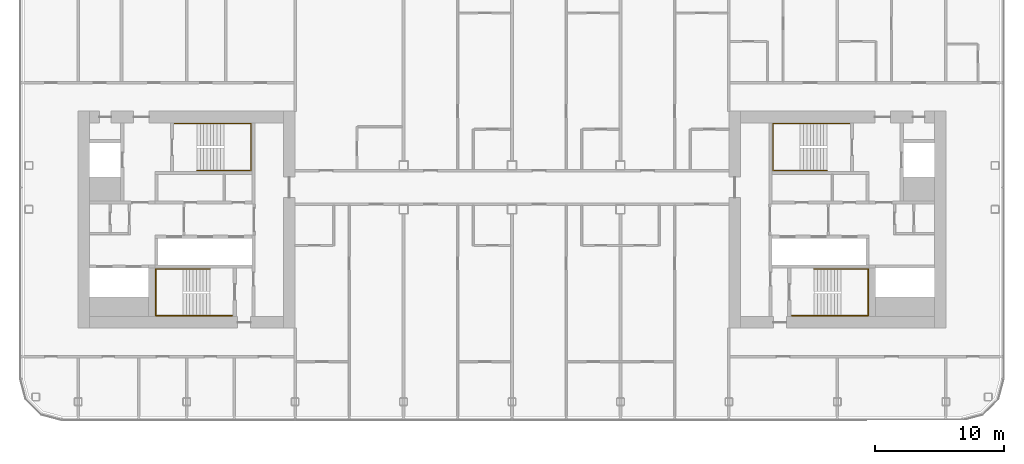
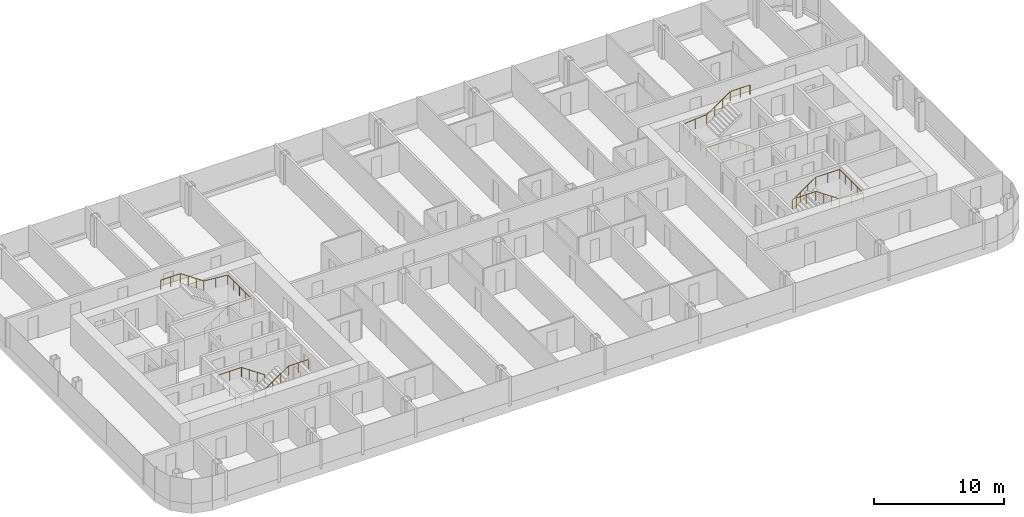
# One storey, part 26 of 26: 4 railings.
"""IFC4 building model written with IfcOpenShell, lengths in metres."""

import ifcopenshell
import ifcopenshell.guid

model = None  # the IFC model being written
_history = None  # IfcOwnerHistory: only IFC2X3 demands one
_inside = {}  # id of a spatial element -> (the spatial element, [elements in it])
_under = {}  # id of a project, library or spatial element -> (it, [spatial elements below it])
_declared = {}  # id of a project -> (the project, [libraries it declares])
_typed = {}  # id of a type object -> (the type object, [elements of that type])
_made_of = {}  # id of a material, layer set ... -> (it, [elements and type objects made of it])


def new_model(schema):
    """Start an empty IFC model of exactly this schema.

    Asked for "IFC4X3", IfcOpenShell would pick the latest addendum, in which some entities
    have other attributes; the version numbers below select the first issue.
    IFC2X3 requires an IfcOwnerHistory on every rooted entity: one is made here for all.
    """
    global model, _history
    if schema == "IFC4X3":
        model = ifcopenshell.file(schema_version=(4, 3, 0, 0))
    else:
        model = ifcopenshell.file(schema=schema)
    _inside.clear()
    _under.clear()
    _declared.clear()
    _typed.clear()
    _made_of.clear()
    _history = None
    if model.schema == "IFC2X3":
        org = make("IfcOrganization", Name="unknown")
        user = make(
            "IfcPersonAndOrganization",
            ThePerson=make("IfcPerson", FamilyName="unknown"),
            TheOrganization=org,
        )
        app = make(
            "IfcApplication",
            ApplicationDeveloper=org,
            Version="unknown",
            ApplicationFullName="unknown",
            ApplicationIdentifier="unknown",
        )
        _history = make(
            "IfcOwnerHistory",
            OwningUser=user,
            OwningApplication=app,
            ChangeAction="ADDED",
            CreationDate=0,
        )
    return model


def make(cls, **values):
    """One entity of the class cls with the attributes given. An attribute that is None is left unset."""
    return model.create_entity(
        cls, **{name: value for name, value in values.items() if value is not None}
    )


def rooted(cls, **values):
    """An entity with a GlobalId (a new one), such as an element, a storey or a relation."""
    return make(cls, GlobalId=ifcopenshell.guid.new(), OwnerHistory=_history, **values)


def si_unit(unit_type, name, prefix=None):
    """IfcSIUnit, for example si_unit("LENGTHUNIT", "METRE", prefix="MILLI")."""
    return make("IfcSIUnit", UnitType=unit_type, Prefix=prefix, Name=name)


def assignment(units):
    """IfcUnitAssignment: the units of a project."""
    return None if units is None else make("IfcUnitAssignment", Units=units)


def point(xyz):
    """IfcCartesianPoint."""
    return None if xyz is None else make("IfcCartesianPoint", Coordinates=xyz)


def direction(xyz):
    """IfcDirection."""
    return None if xyz is None else make("IfcDirection", DirectionRatios=xyz)


def frame(location, z_axis=None, x_axis=None):
    """IfcAxis2Placement3D, a coordinate frame: its origin and axes. An axis left out is left unset."""
    return make(
        "IfcAxis2Placement3D",
        Location=point(location),
        Axis=direction(z_axis),
        RefDirection=direction(x_axis),
    )


def frame_2d(location, x_axis=None):
    """IfcAxis2Placement2D, a coordinate frame in the plane: its origin and x axis."""
    return make(
        "IfcAxis2Placement2D", Location=point(location), RefDirection=direction(x_axis)
    )


def origin():
    """The frame at (0, 0, 0) with its axes left unset."""
    return frame((0.0, 0.0, 0.0))


def origin_2d():
    """The frame at (0, 0) in the plane with its x axis left unset."""
    return frame_2d((0.0, 0.0))


def place(relative_to, where):
    """IfcLocalPlacement: puts the frame where relative to a parent placement (None: the world)."""
    return make(
        "IfcLocalPlacement", PlacementRelTo=relative_to, RelativePlacement=where
    )


def context(
    kind, dimensions, precision=None, world=None, true_north=None, identifier=None
):
    """IfcGeometricRepresentationContext, for example the 3D "Model" context."""
    return make(
        "IfcGeometricRepresentationContext",
        ContextIdentifier=identifier,
        ContextType=kind,
        CoordinateSpaceDimension=dimensions,
        Precision=precision,
        WorldCoordinateSystem=world,
        TrueNorth=true_north,
    )


def subcontext(parent, identifier, kind, view, scale=None):
    """IfcGeometricRepresentationSubContext, for example "Body" below "Model"."""
    return make(
        "IfcGeometricRepresentationSubContext",
        ContextIdentifier=identifier,
        ContextType=kind,
        ParentContext=parent,
        TargetScale=scale,
        TargetView=view,
    )


def project(units=None, contexts=None):
    """IfcProject with its units and contexts."""
    return rooted(
        "IfcProject",
        Name="project",
        RepresentationContexts=contexts,
        UnitsInContext=assignment(units),
    )


def spatial(cls, under=None, at=None, **own):
    """A site, building, storey or space (cls), placed at a placement, below another one or the project."""
    s = rooted(cls, ObjectPlacement=at, **own)
    if under is not None:
        _under.setdefault(under.id(), (under, []))[1].append(s)
    return s


def profile(cls, at=None, kind="AREA", **sizes):
    """A parametric profile (cls). Its sizes go by their IFC names, for example OverallWidth=200.0."""
    return make(cls, ProfileType=kind, Position=at, **sizes)


def circle(**sizes):
    """IfcCircleProfileDef."""
    return profile("IfcCircleProfileDef", **sizes)


def extrude(swept, where, along, depth):
    """IfcExtrudedAreaSolid: the profile swept, set in the frame where, extruded along a direction by depth."""
    return make(
        "IfcExtrudedAreaSolid",
        SweptArea=swept,
        Position=where,
        ExtrudedDirection=direction(along),
        Depth=depth,
    )


def shape(context_of_items, identifier, shape_type, items):
    """IfcShapeRepresentation: the items that make up one representation, for example the "Body"."""
    return make(
        "IfcShapeRepresentation",
        ContextOfItems=context_of_items,
        RepresentationIdentifier=identifier,
        RepresentationType=shape_type,
        Items=items,
    )


def material(Name=None, Category=None):
    """IfcMaterial."""
    return make("IfcMaterial", Name=Name, Category=Category)


def made_of(thing, what):
    """Note that an element or type object is made of a material, layer set ...; save() writes the relation."""
    if what is not None:
        _made_of.setdefault(what.id(), (what, []))[1].append(thing)
    return thing


def type_object(cls, material=None, **own):
    """A type object (cls), such as IfcWallType, which elements share."""
    return made_of(rooted(cls, **own), material)


def element(
    cls,
    number,
    at=None,
    inside=None,
    cuts=None,
    type_object=None,
    material=None,
    context=None,
    identifier="Body",
    shape_type=None,
    held_by="IfcProductDefinitionShape",
    body=None,
    shapes=None,
    **own,
):
    """One element of the class cls, such as IfcWall. Its Tag is "e" and its number.

    at: its placement. inside: the storey or other place that contains it. cuts: it is an
    opening in that element (IfcRelVoidsElement). A single representation is given by context,
    identifier, shape_type and body (its items); several are given by shapes. held_by: the class
    of the entity that holds the representations. save() writes the other relations.
    """
    e = rooted(cls, Tag="e%d" % number, ObjectPlacement=at, **own)
    if body is not None:
        shapes = [shape(context, identifier, shape_type, body)]
    if shapes is not None:
        e.Representation = make(held_by, Representations=shapes)
    if inside is not None:
        _inside.setdefault(inside.id(), (inside, []))[1].append(e)
    if cuts is not None:
        rooted(
            "IfcRelVoidsElement", RelatingBuildingElement=cuts, RelatedOpeningElement=e
        )
    if type_object is not None:
        _typed.setdefault(type_object.id(), (type_object, []))[1].append(e)
    return made_of(e, material)


def aggregate(whole, parts):
    """IfcRelAggregates: a whole, such as a stair, and the parts it consists of."""
    return rooted("IfcRelAggregates", RelatingObject=whole, RelatedObjects=parts)


def save(model, path):
    """Write the relations noted so far, then the file.

    IfcRelAggregates (storeys below a building ...), IfcRelContainedInSpatialStructure (elements
    in a storey), IfcRelDefinesByType, IfcRelAssociatesMaterial and IfcRelDeclares: one each for
    every whole, place, type object, material and project.
    """
    for whole, parts in _under.values():
        aggregate(whole, parts)
    for where, things in _inside.values():
        rooted(
            "IfcRelContainedInSpatialStructure",
            RelatedElements=things,
            RelatingStructure=where,
        )
    for kind, things in _typed.values():
        rooted("IfcRelDefinesByType", RelatedObjects=things, RelatingType=kind)
    for what, things in _made_of.values():
        rooted("IfcRelAssociatesMaterial", RelatedObjects=things, RelatingMaterial=what)
    for by, libraries in _declared.values():
        rooted("IfcRelDeclares", RelatingContext=by, RelatedDefinitions=libraries)
    model.write(path)


model = new_model("IFC4")

# Units and contexts
model_context = context("Model", 3, precision=1e-05, world=origin(), true_north=direction((0.0, 1.0)))
body_context = subcontext(model_context, "Body", "Model", "MODEL_VIEW")
ifc_project = project(units=[si_unit("LENGTHUNIT", "METRE"), si_unit("AREAUNIT", "SQUARE_METRE"), si_unit("VOLUMEUNIT", "CUBIC_METRE"), si_unit("PLANEANGLEUNIT", "RADIAN"), si_unit("MASSUNIT", "GRAM", prefix="KILO")], contexts=[model_context])

# Site, building, storey
site_placement = place(None, origin())
site = spatial("IfcSite", under=ifc_project, at=site_placement, CompositionType="ELEMENT")
building_placement = place(site_placement, origin())
building = spatial("IfcBuilding", under=site, at=building_placement, Name="Hakoniwa Tower and Hamabe Station Hall", CompositionType="ELEMENT")
storey_placement = place(building_placement, frame((0.0, 0.0, 215.39990234375)))
storey = spatial("IfcBuildingStorey", under=building, at=storey_placement, Name="L61", CompositionType="ELEMENT", Elevation=215.39990234375)

# Railings
ifc_material = material(Name="Stainless steel SUS304", Category="steel")
railing_type = type_object("IfcRailingType", Name="STAIR HANDRAIL 900", PredefinedType="HANDRAIL", material=ifc_material)
railing_1_placement = place(storey_placement, frame((-24.39990234375, 3.81005859375, 0.177978515625)))
element("IfcRailing", 1, at=railing_1_placement, inside=storey, type_object=railing_type, Name="Handrail ST-1 L61 1", PredefinedType="HANDRAIL", context=body_context, shape_type="SweptSolid", body=[
    extrude(circle(Radius=0.02392578125, at=origin_2d()), frame((0.0, 0.0, 0.8759765625), z_axis=(0.825478349766, 0.0, 0.564433781827), x_axis=(0.0, 1.0, 0.0)), (0.0, 0.0, 1.0), 2.51953125),
    extrude(circle(Radius=0.02392578125, at=origin_2d()), frame((2.079833984375, 0.0, 2.2978515625), z_axis=(1.0, 0.0, 0.0), x_axis=(0.0, 1.0, 0.0)), (0.0, 0.0, 1.0), 2.110107421875),
    extrude(circle(Radius=0.02392578125, at=origin_2d()), frame((4.18994140625, 0.0, 2.2978515625), z_axis=(0.0, 1.0, 0.0), x_axis=(-1.0, 0.0, 0.0)), (0.0, 0.0, 1.0), 3.6298828125),
    extrude(circle(Radius=0.02392578125, at=origin_2d()), frame((4.18994140625, 3.6298828125, 2.2978515625), z_axis=(-0.996471417081, 0.0, 0.083932800143), x_axis=(0.0, -1.0, 0.0)), (0.0, 0.0, 1.0), 2.11767578125),
    extrude(circle(Radius=0.02392578125, at=origin_2d()), frame((2.079833984375, 3.6298828125, 2.4755859375), z_axis=(-0.825433201882, 0.0, 0.564499804456), x_axis=(0.0, -1.0, 0.0)), (0.0, 0.0, 1.0), 2.519775390625),
    extrude(circle(Radius=0.02392578125, at=origin_2d()), frame((0.0, 3.6298828125, 3.89794921875), z_axis=(-1.0, 0.0, 0.0), x_axis=(0.0, -1.0, 0.0)), (0.0, 0.0, 1.0), 1.739990234375),
    extrude(circle(Radius=0.02099609375, at=origin_2d()), origin(), (0.0, 0.0, 1.0), 0.851806640625),
    extrude(circle(Radius=0.02099609375, at=origin_2d()), frame((0.693359375, 0.0, 0.47412109375)), (0.0, 0.0, 1.0), 0.851806640625),
    extrude(circle(Radius=0.02099609375, at=origin_2d()), frame((1.386474609375, 0.0, 0.947998046875)), (0.0, 0.0, 1.0), 0.851806640625),
    extrude(circle(Radius=0.02099609375, at=origin_2d()), frame((2.079833984375, 0.0, 1.422119140625)), (0.0, 0.0, 1.0), 0.851806640625),
    extrude(circle(Radius=0.02099609375, at=origin_2d()), frame((3.134765625, 0.0, 1.422119140625)), (0.0, 0.0, 1.0), 0.851806640625),
    extrude(circle(Radius=0.02099609375, at=origin_2d()), frame((4.18994140625, 0.0, 1.422119140625)), (0.0, 0.0, 1.0), 0.851806640625),
    extrude(circle(Radius=0.02099609375, at=origin_2d()), frame((4.18994140625, 0.907470703125, 1.422119140625)), (0.0, 0.0, 1.0), 0.851806640625),
    extrude(circle(Radius=0.02099609375, at=origin_2d()), frame((4.18994140625, 1.81494140625, 1.422119140625)), (0.0, 0.0, 1.0), 0.851806640625),
    extrude(circle(Radius=0.02099609375, at=origin_2d()), frame((4.18994140625, 2.722412109375, 1.422119140625)), (0.0, 0.0, 1.0), 0.851806640625),
    extrude(circle(Radius=0.02099609375, at=origin_2d()), frame((4.18994140625, 3.6298828125, 1.422119140625)), (0.0, 0.0, 1.0), 0.851806640625),
    extrude(circle(Radius=0.02099609375, at=origin_2d()), frame((3.134765625, 3.6298828125, 1.510986328125)), (0.0, 0.0, 1.0), 0.851806640625),
    extrude(circle(Radius=0.02099609375, at=origin_2d()), frame((2.079833984375, 3.6298828125, 1.599853515625)), (0.0, 0.0, 1.0), 0.851806640625),
    extrude(circle(Radius=0.02099609375, at=origin_2d()), frame((1.386474609375, 3.6298828125, 2.073974609375)), (0.0, 0.0, 1.0), 0.851806640625),
    extrude(circle(Radius=0.02099609375, at=origin_2d()), frame((0.693359375, 3.6298828125, 2.548095703125)), (0.0, 0.0, 1.0), 0.851806640625),
    extrude(circle(Radius=0.02099609375, at=origin_2d()), frame((0.0, 3.6298828125, 3.022216796875)), (0.0, 0.0, 1.0), 0.851806640625),
    extrude(circle(Radius=0.02099609375, at=origin_2d()), frame((-0.8701171875, 3.6298828125, 3.022216796875)), (0.0, 0.0, 1.0), 0.851806640625),
    extrude(circle(Radius=0.02099609375, at=origin_2d()), frame((-1.739990234375, 3.6298828125, 3.022216796875)), (0.0, 0.0, 1.0), 0.851806640625),
])
railing_2_placement = place(storey_placement, frame((-23.39990234375, -3.81005859375, 0.177978515625)))
element("IfcRailing", 2, at=railing_2_placement, inside=storey, type_object=railing_type, Name="Handrail ST-2 L61 1", PredefinedType="HANDRAIL", context=body_context, shape_type="SweptSolid", body=[
    extrude(circle(Radius=0.02392578125, at=origin_2d()), frame((0.0, 0.0, 0.8759765625), z_axis=(-0.82550921652, 0.0, 0.564388636881), x_axis=(0.0, -1.0, 0.0)), (0.0, 0.0, 1.0), 2.519775390625),
    extrude(circle(Radius=0.02392578125, at=origin_2d()), frame((-2.080078125, 0.0, 2.2978515625), z_axis=(-1.0, 0.0, 0.0), x_axis=(0.0, -1.0, 0.0)), (0.0, 0.0, 1.0), 2.110107421875),
    extrude(circle(Radius=0.02392578125, at=origin_2d()), frame((-4.190185546875, 0.0, 2.2978515625), z_axis=(0.0, -1.0, 0.0), x_axis=(1.0, 0.0, 0.0)), (0.0, 0.0, 1.0), 3.6298828125),
    extrude(circle(Radius=0.02392578125, at=origin_2d()), frame((-4.190185546875, -3.6298828125, 2.2978515625), z_axis=(0.996471417081, 0.0, 0.083932800143), x_axis=(0.0, 1.0, 0.0)), (0.0, 0.0, 1.0), 2.11767578125),
    extrude(circle(Radius=0.02392578125, at=origin_2d()), frame((-2.080078125, -3.6298828125, 2.4755859375), z_axis=(0.825464074169, 0.0, 0.564454659168), x_axis=(0.0, 1.0, 0.0)), (0.0, 0.0, 1.0), 2.519775390625),
    extrude(circle(Radius=0.02392578125, at=origin_2d()), frame((0.0, -3.6298828125, 3.89794921875), z_axis=(1.0, 0.0, 0.0), x_axis=(0.0, 1.0, 0.0)), (0.0, 0.0, 1.0), 1.739990234375),
    extrude(circle(Radius=0.02099609375, at=origin_2d()), origin(), (0.0, 0.0, 1.0), 0.851806640625),
    extrude(circle(Radius=0.02099609375, at=origin_2d()), frame((-0.693359375, 0.0, 0.47412109375)), (0.0, 0.0, 1.0), 0.851806640625),
    extrude(circle(Radius=0.02099609375, at=origin_2d()), frame((-1.38671875, 0.0, 0.947998046875)), (0.0, 0.0, 1.0), 0.851806640625),
    extrude(circle(Radius=0.02099609375, at=origin_2d()), frame((-2.080078125, 0.0, 1.422119140625)), (0.0, 0.0, 1.0), 0.851806640625),
    extrude(circle(Radius=0.02099609375, at=origin_2d()), frame((-3.13525390625, 0.0, 1.422119140625)), (0.0, 0.0, 1.0), 0.851806640625),
    extrude(circle(Radius=0.02099609375, at=origin_2d()), frame((-4.190185546875, 0.0, 1.422119140625)), (0.0, 0.0, 1.0), 0.851806640625),
    extrude(circle(Radius=0.02099609375, at=origin_2d()), frame((-4.190185546875, -0.907470703125, 1.422119140625)), (0.0, 0.0, 1.0), 0.851806640625),
    extrude(circle(Radius=0.02099609375, at=origin_2d()), frame((-4.190185546875, -1.81494140625, 1.422119140625)), (0.0, 0.0, 1.0), 0.851806640625),
    extrude(circle(Radius=0.02099609375, at=origin_2d()), frame((-4.190185546875, -2.722412109375, 1.422119140625)), (0.0, 0.0, 1.0), 0.851806640625),
    extrude(circle(Radius=0.02099609375, at=origin_2d()), frame((-4.190185546875, -3.6298828125, 1.422119140625)), (0.0, 0.0, 1.0), 0.851806640625),
    extrude(circle(Radius=0.02099609375, at=origin_2d()), frame((-3.13525390625, -3.6298828125, 1.510986328125)), (0.0, 0.0, 1.0), 0.851806640625),
    extrude(circle(Radius=0.02099609375, at=origin_2d()), frame((-2.080078125, -3.6298828125, 1.599853515625)), (0.0, 0.0, 1.0), 0.851806640625),
    extrude(circle(Radius=0.02099609375, at=origin_2d()), frame((-1.38671875, -3.6298828125, 2.073974609375)), (0.0, 0.0, 1.0), 0.851806640625),
    extrude(circle(Radius=0.02099609375, at=origin_2d()), frame((-0.693359375, -3.6298828125, 2.548095703125)), (0.0, 0.0, 1.0), 0.851806640625),
    extrude(circle(Radius=0.02099609375, at=origin_2d()), frame((0.0, -3.6298828125, 3.022216796875)), (0.0, 0.0, 1.0), 0.851806640625),
    extrude(circle(Radius=0.02099609375, at=origin_2d()), frame((0.8701171875, -3.6298828125, 3.022216796875)), (0.0, 0.0, 1.0), 0.851806640625),
    extrude(circle(Radius=0.02099609375, at=origin_2d()), frame((1.739990234375, -3.6298828125, 3.022216796875)), (0.0, 0.0, 1.0), 0.851806640625),
])
railing_3_placement = place(storey_placement, frame((24.39990234375, 3.81005859375, 0.177978515625)))
element("IfcRailing", 3, at=railing_3_placement, inside=storey, type_object=railing_type, Name="Handrail ST-3 L61 1", PredefinedType="HANDRAIL", context=body_context, shape_type="SweptSolid", body=[
    extrude(circle(Radius=0.02392578125, at=origin_2d()), frame((0.0, 0.0, 0.8759765625), z_axis=(-0.825478349766, 0.0, 0.564433781827), x_axis=(0.0, -1.0, 0.0)), (0.0, 0.0, 1.0), 2.51953125),
    extrude(circle(Radius=0.02392578125, at=origin_2d()), frame((-2.079833984375, 0.0, 2.2978515625), z_axis=(-1.0, 0.0, 0.0), x_axis=(0.0, -1.0, 0.0)), (0.0, 0.0, 1.0), 2.110107421875),
    extrude(circle(Radius=0.02392578125, at=origin_2d()), frame((-4.18994140625, 0.0, 2.2978515625), z_axis=(0.0, 1.0, 0.0), x_axis=(-1.0, 0.0, 0.0)), (0.0, 0.0, 1.0), 3.6298828125),
    extrude(circle(Radius=0.02392578125, at=origin_2d()), frame((-4.18994140625, 3.6298828125, 2.2978515625), z_axis=(0.996471417081, 0.0, 0.083932800143), x_axis=(0.0, 1.0, 0.0)), (0.0, 0.0, 1.0), 2.11767578125),
    extrude(circle(Radius=0.02392578125, at=origin_2d()), frame((-2.079833984375, 3.6298828125, 2.4755859375), z_axis=(0.825433201882, 0.0, 0.564499804456), x_axis=(0.0, 1.0, 0.0)), (0.0, 0.0, 1.0), 2.519775390625),
    extrude(circle(Radius=0.02392578125, at=origin_2d()), frame((0.0, 3.6298828125, 3.89794921875), z_axis=(1.0, 0.0, 0.0), x_axis=(0.0, 1.0, 0.0)), (0.0, 0.0, 1.0), 1.739990234375),
    extrude(circle(Radius=0.02099609375, at=origin_2d()), origin(), (0.0, 0.0, 1.0), 0.851806640625),
    extrude(circle(Radius=0.02099609375, at=origin_2d()), frame((-0.693359375, 0.0, 0.47412109375)), (0.0, 0.0, 1.0), 0.851806640625),
    extrude(circle(Radius=0.02099609375, at=origin_2d()), frame((-1.386474609375, 0.0, 0.947998046875)), (0.0, 0.0, 1.0), 0.851806640625),
    extrude(circle(Radius=0.02099609375, at=origin_2d()), frame((-2.079833984375, 0.0, 1.422119140625)), (0.0, 0.0, 1.0), 0.851806640625),
    extrude(circle(Radius=0.02099609375, at=origin_2d()), frame((-3.134765625, 0.0, 1.422119140625)), (0.0, 0.0, 1.0), 0.851806640625),
    extrude(circle(Radius=0.02099609375, at=origin_2d()), frame((-4.18994140625, 0.0, 1.422119140625)), (0.0, 0.0, 1.0), 0.851806640625),
    extrude(circle(Radius=0.02099609375, at=origin_2d()), frame((-4.18994140625, 0.907470703125, 1.422119140625)), (0.0, 0.0, 1.0), 0.851806640625),
    extrude(circle(Radius=0.02099609375, at=origin_2d()), frame((-4.18994140625, 1.81494140625, 1.422119140625)), (0.0, 0.0, 1.0), 0.851806640625),
    extrude(circle(Radius=0.02099609375, at=origin_2d()), frame((-4.18994140625, 2.722412109375, 1.422119140625)), (0.0, 0.0, 1.0), 0.851806640625),
    extrude(circle(Radius=0.02099609375, at=origin_2d()), frame((-4.18994140625, 3.6298828125, 1.422119140625)), (0.0, 0.0, 1.0), 0.851806640625),
    extrude(circle(Radius=0.02099609375, at=origin_2d()), frame((-3.134765625, 3.6298828125, 1.510986328125)), (0.0, 0.0, 1.0), 0.851806640625),
    extrude(circle(Radius=0.02099609375, at=origin_2d()), frame((-2.079833984375, 3.6298828125, 1.599853515625)), (0.0, 0.0, 1.0), 0.851806640625),
    extrude(circle(Radius=0.02099609375, at=origin_2d()), frame((-1.386474609375, 3.6298828125, 2.073974609375)), (0.0, 0.0, 1.0), 0.851806640625),
    extrude(circle(Radius=0.02099609375, at=origin_2d()), frame((-0.693359375, 3.6298828125, 2.548095703125)), (0.0, 0.0, 1.0), 0.851806640625),
    extrude(circle(Radius=0.02099609375, at=origin_2d()), frame((0.0, 3.6298828125, 3.022216796875)), (0.0, 0.0, 1.0), 0.851806640625),
    extrude(circle(Radius=0.02099609375, at=origin_2d()), frame((0.8701171875, 3.6298828125, 3.022216796875)), (0.0, 0.0, 1.0), 0.851806640625),
    extrude(circle(Radius=0.02099609375, at=origin_2d()), frame((1.739990234375, 3.6298828125, 3.022216796875)), (0.0, 0.0, 1.0), 0.851806640625),
])
railing_4_placement = place(storey_placement, frame((23.39990234375, -3.81005859375, 0.177978515625)))
element("IfcRailing", 4, at=railing_4_placement, inside=storey, type_object=railing_type, Name="Handrail ST-4 L61 1", PredefinedType="HANDRAIL", context=body_context, shape_type="SweptSolid", body=[
    extrude(circle(Radius=0.02392578125, at=origin_2d()), frame((0.0, 0.0, 0.8759765625), z_axis=(0.82550921652, 0.0, 0.564388636881), x_axis=(0.0, 1.0, 0.0)), (0.0, 0.0, 1.0), 2.519775390625),
    extrude(circle(Radius=0.02392578125, at=origin_2d()), frame((2.080078125, 0.0, 2.2978515625), z_axis=(1.0, 0.0, 0.0), x_axis=(0.0, 1.0, 0.0)), (0.0, 0.0, 1.0), 2.110107421875),
    extrude(circle(Radius=0.02392578125, at=origin_2d()), frame((4.190185546875, 0.0, 2.2978515625), z_axis=(0.0, -1.0, 0.0), x_axis=(1.0, 0.0, 0.0)), (0.0, 0.0, 1.0), 3.6298828125),
    extrude(circle(Radius=0.02392578125, at=origin_2d()), frame((4.190185546875, -3.6298828125, 2.2978515625), z_axis=(-0.996471417081, 0.0, 0.083932800143), x_axis=(0.0, -1.0, 0.0)), (0.0, 0.0, 1.0), 2.11767578125),
    extrude(circle(Radius=0.02392578125, at=origin_2d()), frame((2.080078125, -3.6298828125, 2.4755859375), z_axis=(-0.825464074169, 0.0, 0.564454659168), x_axis=(0.0, -1.0, 0.0)), (0.0, 0.0, 1.0), 2.519775390625),
    extrude(circle(Radius=0.02392578125, at=origin_2d()), frame((0.0, -3.6298828125, 3.89794921875), z_axis=(-1.0, 0.0, 0.0), x_axis=(0.0, -1.0, 0.0)), (0.0, 0.0, 1.0), 1.739990234375),
    extrude(circle(Radius=0.02099609375, at=origin_2d()), origin(), (0.0, 0.0, 1.0), 0.851806640625),
    extrude(circle(Radius=0.02099609375, at=origin_2d()), frame((0.693359375, 0.0, 0.47412109375)), (0.0, 0.0, 1.0), 0.851806640625),
    extrude(circle(Radius=0.02099609375, at=origin_2d()), frame((1.38671875, 0.0, 0.947998046875)), (0.0, 0.0, 1.0), 0.851806640625),
    extrude(circle(Radius=0.02099609375, at=origin_2d()), frame((2.080078125, 0.0, 1.422119140625)), (0.0, 0.0, 1.0), 0.851806640625),
    extrude(circle(Radius=0.02099609375, at=origin_2d()), frame((3.13525390625, 0.0, 1.422119140625)), (0.0, 0.0, 1.0), 0.851806640625),
    extrude(circle(Radius=0.02099609375, at=origin_2d()), frame((4.190185546875, 0.0, 1.422119140625)), (0.0, 0.0, 1.0), 0.851806640625),
    extrude(circle(Radius=0.02099609375, at=origin_2d()), frame((4.190185546875, -0.907470703125, 1.422119140625)), (0.0, 0.0, 1.0), 0.851806640625),
    extrude(circle(Radius=0.02099609375, at=origin_2d()), frame((4.190185546875, -1.81494140625, 1.422119140625)), (0.0, 0.0, 1.0), 0.851806640625),
    extrude(circle(Radius=0.02099609375, at=origin_2d()), frame((4.190185546875, -2.722412109375, 1.422119140625)), (0.0, 0.0, 1.0), 0.851806640625),
    extrude(circle(Radius=0.02099609375, at=origin_2d()), frame((4.190185546875, -3.6298828125, 1.422119140625)), (0.0, 0.0, 1.0), 0.851806640625),
    extrude(circle(Radius=0.02099609375, at=origin_2d()), frame((3.13525390625, -3.6298828125, 1.510986328125)), (0.0, 0.0, 1.0), 0.851806640625),
    extrude(circle(Radius=0.02099609375, at=origin_2d()), frame((2.080078125, -3.6298828125, 1.599853515625)), (0.0, 0.0, 1.0), 0.851806640625),
    extrude(circle(Radius=0.02099609375, at=origin_2d()), frame((1.38671875, -3.6298828125, 2.073974609375)), (0.0, 0.0, 1.0), 0.851806640625),
    extrude(circle(Radius=0.02099609375, at=origin_2d()), frame((0.693359375, -3.6298828125, 2.548095703125)), (0.0, 0.0, 1.0), 0.851806640625),
    extrude(circle(Radius=0.02099609375, at=origin_2d()), frame((0.0, -3.6298828125, 3.022216796875)), (0.0, 0.0, 1.0), 0.851806640625),
    extrude(circle(Radius=0.02099609375, at=origin_2d()), frame((-0.8701171875, -3.6298828125, 3.022216796875)), (0.0, 0.0, 1.0), 0.851806640625),
    extrude(circle(Radius=0.02099609375, at=origin_2d()), frame((-1.739990234375, -3.6298828125, 3.022216796875)), (0.0, 0.0, 1.0), 0.851806640625),
])

save(model, "model.ifc")
